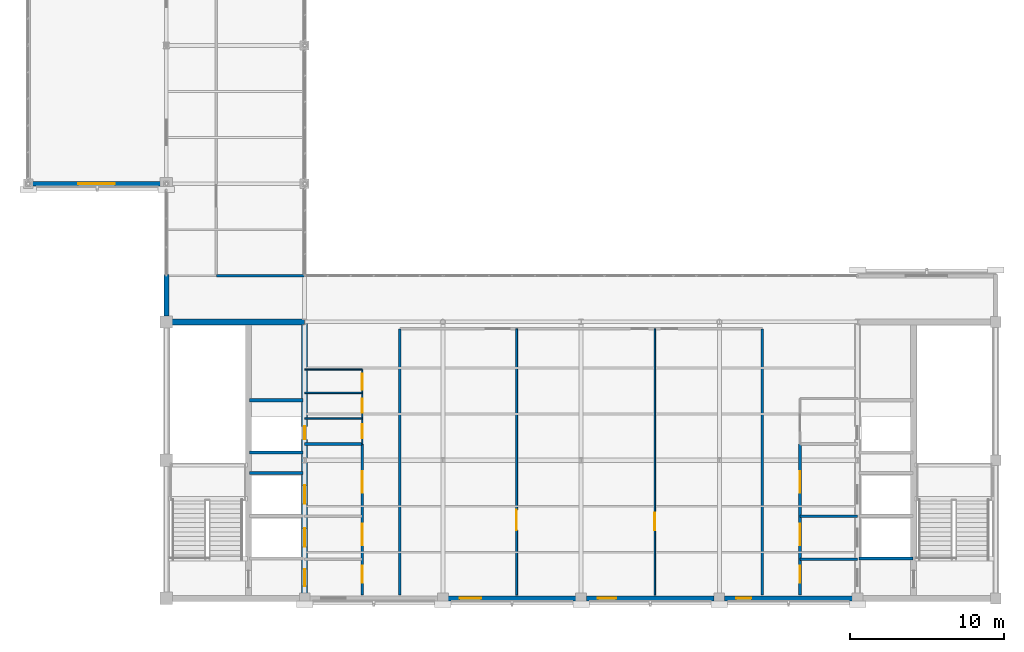
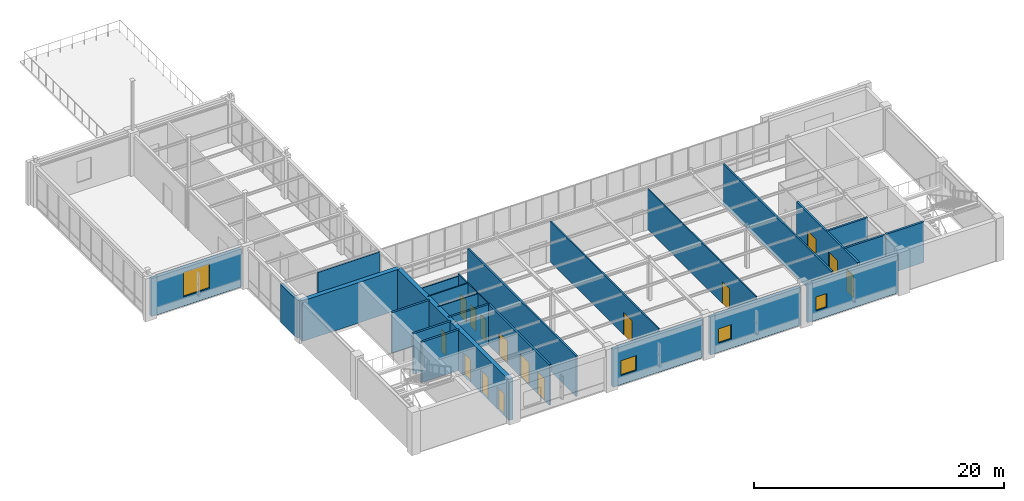
# One storey, part 30 of 36: 25 walls, 15 doors, 4 windows, 19 openings.
"""IFC4 building model written with IfcOpenShell, lengths in metres."""

from ifc_helpers import new_model, si_unit, direction, frame, frame_2d, origin, place, context, subcontext, project, spatial, rectangle, extrude, material, layer, layer_set, type_object, element, fill, save


model = new_model("IFC4")

# Units and contexts
model_context = context("Model", 3, precision=1e-05, world=origin(), true_north=direction((0.0, 1.0)))
body_context = subcontext(model_context, "Body", "Model", "MODEL_VIEW")
ifc_project = project(units=[si_unit("LENGTHUNIT", "METRE"), si_unit("AREAUNIT", "SQUARE_METRE"), si_unit("VOLUMEUNIT", "CUBIC_METRE"), si_unit("PLANEANGLEUNIT", "RADIAN"), si_unit("MASSUNIT", "GRAM", prefix="KILO")], contexts=[model_context])

# Site, building, storey
site_placement = place(None, origin())
site = spatial("IfcSite", under=ifc_project, at=site_placement, CompositionType="ELEMENT")
building_placement = place(site_placement, origin())
building = spatial("IfcBuilding", under=site, at=building_placement, Name="Lykobir Media Centre", CompositionType="ELEMENT")
storey_placement = place(building_placement, frame((0.0, 0.0, 27.60009765625)))
storey = spatial("IfcBuildingStorey", under=building, at=storey_placement, Name="L06", CompositionType="ELEMENT", Elevation=27.60009765625)

# Wall, opening, window
ifc_material_1 = material(Name="Glazed Turquoise Terracotta", Category="masonry")
ifc_layer_1 = layer(ifc_material_1, 0.31005859375, Name="Glazed Turquoise Terracotta")
ifc_layer_set_1 = layer_set([ifc_layer_1], Name="Glazed Turquoise Terracotta")
wall_type_1 = type_object("IfcWallType", Name="EW-TER-310", PredefinedType="STANDARD", material=ifc_layer_set_1)
wall_1_placement = place(storey_placement, frame((45.3349609375, 0.0, 0.0), z_axis=(0.0, 0.0, 1.0), x_axis=(1.0, 0.0, 0.0)))
wall_1 = element("IfcWall", 1, at=wall_1_placement, inside=storey, type_object=wall_type_1, Name="Exterior wall WALL-L06-0351", PredefinedType="STANDARD", context=body_context, shape_type="SweptSolid", body=[
    extrude(rectangle(XDim=8.330078125, YDim=0.31005859375, at=frame_2d((4.1650390625, 0.0))), origin(), (0.0, 0.0, 1.0), 3.71484375),
])
opening_1_placement = place(wall_1_placement, frame((0.75, 0.0, 0.89990234375)))
opening_1 = element("IfcOpeningElement", 2, at=opening_1_placement, cuts=wall_1, Name="Opening WN-1400x1450", PredefinedType="OPENING", context=body_context, shape_type="SweptSolid", body=[
    extrude(rectangle(XDim=1.39990234375, YDim=1.449951171875, at=frame_2d((0.699951171875, 0.72509765625))), frame((0.0, 0.1650390625, 0.0), z_axis=(0.0, -1.0, 0.0), x_axis=(1.0, 0.0, 0.0)), (0.0, 0.0, 1.0), 0.330078125),
])
ifc_material_2 = material(Name="Low-E Laminated Triple Glazing", Category="glass")
window_type_1 = type_object("IfcWindowType", Name="WN-1400x1450", PartitioningType="SINGLE_PANEL", PredefinedType="WINDOW", material=ifc_material_2)
window_1_placement = place(opening_1_placement, origin())
window_1 = element("IfcWindow", 3, at=window_1_placement, inside=storey, type_object=window_type_1, Name="Window WIN-L06-0157", OverallHeight=1.449951171875, OverallWidth=1.39990234375, PartitioningType="SINGLE_PANEL", PredefinedType="WINDOW", context=body_context, shape_type="SweptSolid", body=[
    extrude(rectangle(XDim=1.39990234375, YDim=1.449951171875, at=frame_2d((0.699951171875, 0.72509765625))), frame((0.0, 0.030029296875, 0.0), z_axis=(0.0, -1.0, 0.0), x_axis=(1.0, 0.0, 0.0)), (0.0, 0.0, 1.0), 0.06005859375),
])
fill(opening_1, window_1)

wall_2_placement = place(storey_placement, frame((54.3349609375, 0.0, 0.0), z_axis=(0.0, 0.0, 1.0), x_axis=(1.0, 0.0, 0.0)))
wall_2 = element("IfcWall", 4, at=wall_2_placement, inside=storey, type_object=wall_type_1, Name="Exterior wall WALL-L06-0352", PredefinedType="STANDARD", context=body_context, shape_type="SweptSolid", body=[
    extrude(rectangle(XDim=8.330078125, YDim=0.31005859375, at=frame_2d((4.1650390625, 0.0))), origin(), (0.0, 0.0, 1.0), 3.71484375),
])
opening_2_placement = place(wall_2_placement, frame((0.75, 0.0, 0.89990234375)))
opening_2 = element("IfcOpeningElement", 5, at=opening_2_placement, cuts=wall_2, Name="Opening WN-1200x1400", PredefinedType="OPENING", context=body_context, shape_type="SweptSolid", body=[
    extrude(rectangle(XDim=1.199951171875, YDim=1.39990234375, at=frame_2d((0.60009765625, 0.699951171875))), frame((0.0, 0.1650390625, 0.0), z_axis=(0.0, -1.0, 0.0), x_axis=(1.0, 0.0, 0.0)), (0.0, 0.0, 1.0), 0.330078125),
])
window_type_2 = type_object("IfcWindowType", Name="WN-1200x1400", PartitioningType="SINGLE_PANEL", PredefinedType="WINDOW", material=ifc_material_2)
window_2_placement = place(opening_2_placement, origin())
window_2 = element("IfcWindow", 6, at=window_2_placement, inside=storey, type_object=window_type_2, Name="Window WIN-L06-0158", OverallHeight=1.39990234375, OverallWidth=1.199951171875, PartitioningType="SINGLE_PANEL", PredefinedType="WINDOW", context=body_context, shape_type="SweptSolid", body=[
    extrude(rectangle(XDim=1.199951171875, YDim=1.39990234375, at=frame_2d((0.60009765625, 0.699951171875))), frame((0.0, 0.030029296875, 0.0), z_axis=(0.0, -1.0, 0.0), x_axis=(1.0, 0.0, 0.0)), (0.0, 0.0, 1.0), 0.06005859375),
])
fill(opening_2, window_2)

wall_3_placement = place(storey_placement, frame((63.3349609375, 0.0, 0.0), z_axis=(0.0, 0.0, 1.0), x_axis=(1.0, 0.0, 0.0)))
wall_3 = element("IfcWall", 7, at=wall_3_placement, inside=storey, type_object=wall_type_1, Name="Exterior wall WALL-L06-0353", PredefinedType="STANDARD", context=body_context, shape_type="SweptSolid", body=[
    extrude(rectangle(XDim=8.330078125, YDim=0.31005859375, at=frame_2d((4.1650390625, 0.0))), origin(), (0.0, 0.0, 1.0), 3.71484375),
])
opening_3_placement = place(wall_3_placement, frame((0.75, 0.0, 0.89990234375)))
opening_3 = element("IfcOpeningElement", 8, at=opening_3_placement, cuts=wall_3, Name="Opening WN-1000x1350", PredefinedType="OPENING", context=body_context, shape_type="SweptSolid", body=[
    extrude(rectangle(XDim=1.0, YDim=1.35009765625, at=frame_2d((0.5, 0.675048828125))), frame((0.0, 0.1650390625, 0.0), z_axis=(0.0, -1.0, 0.0), x_axis=(1.0, 0.0, 0.0)), (0.0, 0.0, 1.0), 0.330078125),
])
window_type_3 = type_object("IfcWindowType", Name="WN-1000x1350", PartitioningType="SINGLE_PANEL", PredefinedType="WINDOW", material=ifc_material_2)
window_3_placement = place(opening_3_placement, origin())
window_3 = element("IfcWindow", 9, at=window_3_placement, inside=storey, type_object=window_type_3, Name="Window WIN-L06-0159", OverallHeight=1.35009765625, OverallWidth=1.0, PartitioningType="SINGLE_PANEL", PredefinedType="WINDOW", context=body_context, shape_type="SweptSolid", body=[
    extrude(rectangle(XDim=1.0, YDim=1.35009765625, at=frame_2d((0.5, 0.675048828125))), frame((0.0, 0.030029296875, 0.0), z_axis=(0.0, -1.0, 0.0), x_axis=(1.0, 0.0, 0.0)), (0.0, 0.0, 1.0), 0.06005859375),
])
fill(opening_3, window_3)

wall_4_placement = place(storey_placement, frame((18.284912109375, 27.0, 0.0), z_axis=(0.0, 0.0, 1.0), x_axis=(1.0, 0.0, 0.0)))
wall_4 = element("IfcWall", 10, at=wall_4_placement, inside=storey, type_object=wall_type_1, Name="Exterior wall WALL-L06-0358", PredefinedType="STANDARD", context=body_context, shape_type="SweptSolid", body=[
    extrude(rectangle(XDim=8.330078125, YDim=0.31005859375, at=frame_2d((4.1650390625, 0.0))), origin(), (0.0, 0.0, 1.0), 3.712890625),
])
opening_4_placement = place(wall_4_placement, frame((2.965087890625, 0.0, 0.89990234375)))
opening_4 = element("IfcOpeningElement", 11, at=opening_4_placement, cuts=wall_4, Name="Opening WN-2400x2400", PredefinedType="OPENING", context=body_context, shape_type="SweptSolid", body=[
    extrude(rectangle(XDim=2.39990234375, YDim=2.39990234375, at=frame_2d((1.199951171875, 1.199951171875))), frame((0.0, 0.1650390625, 0.0), z_axis=(0.0, -1.0, 0.0), x_axis=(1.0, 0.0, 0.0)), (0.0, 0.0, 1.0), 0.330078125),
])
window_type_4 = type_object("IfcWindowType", Name="WN-2400x2400", PartitioningType="SINGLE_PANEL", PredefinedType="WINDOW", material=ifc_material_2)
window_4_placement = place(opening_4_placement, origin())
window_4 = element("IfcWindow", 12, at=window_4_placement, inside=storey, type_object=window_type_4, Name="Window WIN-L06-0162", OverallHeight=2.39990234375, OverallWidth=2.39990234375, PartitioningType="SINGLE_PANEL", PredefinedType="WINDOW", context=body_context, shape_type="SweptSolid", body=[
    extrude(rectangle(XDim=2.39990234375, YDim=2.39990234375, at=frame_2d((1.199951171875, 1.199951171875))), frame((0.0, 0.030029296875, 0.0), z_axis=(0.0, -1.0, 0.0), x_axis=(1.0, 0.0, 0.0)), (0.0, 0.0, 1.0), 0.06005859375),
])
fill(opening_4, window_4)

# Walls
wall_5_placement = place(storey_placement, frame((27.0, 21.074951171875, 0.0), z_axis=(0.0, 0.0, 1.0), x_axis=(0.0, -1.0, 0.0)))
element("IfcWall", 13, at=wall_5_placement, inside=storey, type_object=wall_type_1, Name="Exterior wall WALL-L06-0359", PredefinedType="STANDARD", context=body_context, shape_type="SweptSolid", body=[
    extrude(rectangle(XDim=2.68994140625, YDim=0.31005859375, at=frame_2d((1.344970703125, 0.0))), origin(), (0.0, 0.0, 1.0), 3.71484375),
])
ifc_material_3 = material(Name="Acoustic Gypsum Board", Category="gypsum")
ifc_layer_2 = layer(ifc_material_3, 0.159912109375, Name="Acoustic Gypsum Board")
ifc_layer_set_2 = layer_set([ifc_layer_2], Name="Acoustic Gypsum Board")
wall_type_2 = type_object("IfcWallType", Name="IW-COR-160", PredefinedType="PARTITIONING", material=ifc_layer_set_2)
for number, where, z_axis, x_axis, name in (
    (14, (42.199951171875, 0.219970703125, 0.0), (0.0, 0.0, 1.0), (0.0, 1.0, 0.0), "Wall IWALL-L06-0773"),
    (15, (65.800048828125, 0.219970703125, 0.0), (0.0, 0.0, 1.0), (0.0, 1.0, 0.0), "Wall IWALL-L06-0774"),
):
    element("IfcWall", number, at=place(storey_placement, frame(where, z_axis=z_axis, x_axis=x_axis)), inside=storey, type_object=wall_type_2, Name=name, PredefinedType="PARTITIONING", context=body_context, shape_type="SweptSolid", body=[
        extrude(rectangle(XDim=17.330078125, YDim=0.159912109375, at=frame_2d((8.6650390625, 0.0))), origin(), (0.0, 0.0, 1.0), 3.9599609375),
    ])
wall_6_placement = place(storey_placement, frame((30.25, 21.0, 0.0), z_axis=(0.0, 0.0, 1.0), x_axis=(1.0, 0.0, 0.0)))
element("IfcWall", 16, at=wall_6_placement, inside=storey, type_object=wall_type_2, Name="Wall IWALL-L06-0778", PredefinedType="PARTITIONING", context=body_context, shape_type="SweptSolid", body=[
    extrude(rectangle(XDim=5.72998046875, YDim=0.159912109375, at=frame_2d((2.864990234375, 0.0))), origin(), (0.0, 0.0, 1.0), 3.724853515625),
])

# Wall, openings, doors
ifc_layer_3 = layer(ifc_material_3, 0.179931640625, Name="Acoustic Gypsum Board")
ifc_layer_set_3 = layer_set([ifc_layer_3], Name="Acoustic Gypsum Board")
wall_type_3 = type_object("IfcWallType", Name="IW-FFLOB-180", PredefinedType="PARTITIONING", material=ifc_layer_set_3)
wall_7_placement = place(storey_placement, frame((39.75, 0.219970703125, 0.0), z_axis=(0.0, 0.0, 1.0), x_axis=(0.0, 1.0, 0.0)))
wall_7 = element("IfcWall", 17, at=wall_7_placement, inside=storey, type_object=wall_type_3, Name="Wall IWALL-L06-0137", PredefinedType="PARTITIONING", context=body_context, shape_type="SweptSolid", body=[
    extrude(rectangle(XDim=9.830078125, YDim=0.179931640625, at=frame_2d((4.9150390625, 0.0))), origin(), (0.0, 0.0, 1.0), 3.9599609375),
])
opening_5_placement = place(wall_7_placement, frame((0.800048828125, 0.0, 0.0)))
opening_5 = element("IfcOpeningElement", 18, at=opening_5_placement, cuts=wall_7, Name="Opening D-L06-C1LV", PredefinedType="OPENING", context=body_context, shape_type="SweptSolid", body=[
    extrude(rectangle(XDim=1.10009765625, YDim=2.159912109375, at=frame_2d((0.550048828125, 1.080078125))), frame((0.0, 0.099853515625, 0.0), z_axis=(0.0, -1.0, 0.0), x_axis=(1.0, 0.0, 0.0)), (0.0, 0.0, 1.0), 0.199951171875),
])
opening_6_placement = place(wall_7_placement, frame((3.25, 0.0, 0.0)))
opening_6 = element("IfcOpeningElement", 19, at=opening_6_placement, cuts=wall_7, Name="Opening D-L06-C1PL", PredefinedType="OPENING", context=body_context, shape_type="SweptSolid", body=[
    extrude(rectangle(XDim=1.39990234375, YDim=2.199951171875, at=frame_2d((0.699951171875, 1.10009765625))), frame((0.0, 0.099853515625, 0.0), z_axis=(0.0, -1.0, 0.0), x_axis=(1.0, 0.0, 0.0)), (0.0, 0.0, 1.0), 0.199951171875),
])
opening_7_placement = place(wall_7_placement, frame((6.64990234375, 0.0, 0.0)))
opening_7 = element("IfcOpeningElement", 20, at=opening_7_placement, cuts=wall_7, Name="Opening D-L06-C1FF", PredefinedType="OPENING", context=body_context, shape_type="SweptSolid", body=[
    extrude(rectangle(XDim=1.39990234375, YDim=2.199951171875, at=frame_2d((0.699951171875, 1.10009765625))), frame((0.0, 0.099853515625, 0.0), z_axis=(0.0, -1.0, 0.0), x_axis=(1.0, 0.0, 0.0)), (0.0, 0.0, 1.0), 0.199951171875),
])
ifc_material_4 = material(Name="Acoustic Timber Panelling", Category="wood")
door_type_1 = type_object("IfcDoorType", Name="FD-1100x2160", OperationType="NOTDEFINED", PredefinedType="DOOR", material=ifc_material_4)
door_1_placement = place(opening_5_placement, origin())
door_1 = element("IfcDoor", 21, at=door_1_placement, inside=storey, type_object=door_type_1, Name="Door D-L06-C1LV", OperationType="SINGLE_SWING_LEFT", OverallHeight=2.159912109375, OverallWidth=1.10009765625, PredefinedType="DOOR", context=body_context, shape_type="SweptSolid", body=[
    extrude(rectangle(XDim=1.10009765625, YDim=2.159912109375, at=frame_2d((0.550048828125, 1.080078125))), frame((0.0, 0.02490234375, 0.0), z_axis=(0.0, -1.0, 0.0), x_axis=(1.0, 0.0, 0.0)), (0.0, 0.0, 1.0), 0.050048828125),
])
fill(opening_5, door_1)
door_type_2 = type_object("IfcDoorType", Name="FD-1400x2200", OperationType="NOTDEFINED", PredefinedType="DOOR", material=ifc_material_4)
door_2_placement = place(opening_6_placement, origin())
door_2 = element("IfcDoor", 22, at=door_2_placement, inside=storey, type_object=door_type_2, Name="Door D-L06-C1PL", OperationType="DOUBLE_DOOR_SINGLE_SWING", OverallHeight=2.199951171875, OverallWidth=1.39990234375, PredefinedType="DOOR", context=body_context, shape_type="SweptSolid", body=[
    extrude(rectangle(XDim=1.39990234375, YDim=2.199951171875, at=frame_2d((0.699951171875, 1.10009765625))), frame((0.0, 0.02490234375, 0.0), z_axis=(0.0, -1.0, 0.0), x_axis=(1.0, 0.0, 0.0)), (0.0, 0.0, 1.0), 0.050048828125),
])
fill(opening_6, door_2)
door_3_placement = place(opening_7_placement, origin())
door_3 = element("IfcDoor", 23, at=door_3_placement, inside=storey, type_object=door_type_2, Name="Door D-L06-C1FF", OperationType="DOUBLE_DOOR_SINGLE_SWING", OverallHeight=2.199951171875, OverallWidth=1.39990234375, PredefinedType="DOOR", context=body_context, shape_type="SweptSolid", body=[
    extrude(rectangle(XDim=1.39990234375, YDim=2.199951171875, at=frame_2d((0.699951171875, 1.10009765625))), frame((0.0, 0.02490234375, 0.0), z_axis=(0.0, -1.0, 0.0), x_axis=(1.0, 0.0, 0.0)), (0.0, 0.0, 1.0), 0.050048828125),
])
fill(opening_7, door_3)

# Wall
wall_8_placement = place(storey_placement, frame((36.0, 10.050048828125, 0.0), z_axis=(0.0, 0.0, 1.0), x_axis=(1.0, 0.0, 0.0)))
element("IfcWall", 24, at=wall_8_placement, inside=storey, type_object=wall_type_3, Name="Wall IWALL-L06-0140", PredefinedType="PARTITIONING", context=body_context, shape_type="SweptSolid", body=[
    extrude(rectangle(XDim=3.75, YDim=0.179931640625, at=frame_2d((1.875, 0.0))), origin(), (0.0, 0.0, 1.0), 3.9599609375),
])

# Wall, openings, doors
wall_9_placement = place(storey_placement, frame((68.25, 0.219970703125, 0.0), z_axis=(0.0, 0.0, 1.0), x_axis=(0.0, 1.0, 0.0)))
wall_9 = element("IfcWall", 25, at=wall_9_placement, inside=storey, type_object=wall_type_3, Name="Wall IWALL-L06-0305", PredefinedType="PARTITIONING", context=body_context, shape_type="SweptSolid", body=[
    extrude(rectangle(XDim=9.830078125, YDim=0.179931640625, at=frame_2d((4.9150390625, 0.0))), origin(), (0.0, 0.0, 1.0), 3.9599609375),
])
opening_8_placement = place(wall_9_placement, frame((0.800048828125, 0.0, 0.0)))
opening_8 = element("IfcOpeningElement", 26, at=opening_8_placement, cuts=wall_9, Name="Opening D-L06-C2LV", PredefinedType="OPENING", context=body_context, shape_type="SweptSolid", body=[
    extrude(rectangle(XDim=1.10009765625, YDim=2.159912109375, at=frame_2d((0.550048828125, 1.080078125))), frame((0.0, 0.099853515625, 0.0), z_axis=(0.0, -1.0, 0.0), x_axis=(1.0, 0.0, 0.0)), (0.0, 0.0, 1.0), 0.199951171875),
])
opening_9_placement = place(wall_9_placement, frame((3.25, 0.0, 0.0)))
opening_9 = element("IfcOpeningElement", 27, at=opening_9_placement, cuts=wall_9, Name="Opening D-L06-C2PL", PredefinedType="OPENING", context=body_context, shape_type="SweptSolid", body=[
    extrude(rectangle(XDim=1.39990234375, YDim=2.199951171875, at=frame_2d((0.699951171875, 1.10009765625))), frame((0.0, 0.099853515625, 0.0), z_axis=(0.0, -1.0, 0.0), x_axis=(1.0, 0.0, 0.0)), (0.0, 0.0, 1.0), 0.199951171875),
])
opening_10_placement = place(wall_9_placement, frame((6.64990234375, 0.0, 0.0)))
opening_10 = element("IfcOpeningElement", 28, at=opening_10_placement, cuts=wall_9, Name="Opening D-L06-C2FF", PredefinedType="OPENING", context=body_context, shape_type="SweptSolid", body=[
    extrude(rectangle(XDim=1.39990234375, YDim=2.199951171875, at=frame_2d((0.699951171875, 1.10009765625))), frame((0.0, 0.099853515625, 0.0), z_axis=(0.0, -1.0, 0.0), x_axis=(1.0, 0.0, 0.0)), (0.0, 0.0, 1.0), 0.199951171875),
])
door_4_placement = place(opening_8_placement, origin())
door_4 = element("IfcDoor", 29, at=door_4_placement, inside=storey, type_object=door_type_1, Name="Door D-L06-C2LV", OperationType="SINGLE_SWING_RIGHT", OverallHeight=2.159912109375, OverallWidth=1.10009765625, PredefinedType="DOOR", context=body_context, shape_type="SweptSolid", body=[
    extrude(rectangle(XDim=1.10009765625, YDim=2.159912109375, at=frame_2d((0.550048828125, 1.080078125))), frame((0.0, 0.02490234375, 0.0), z_axis=(0.0, -1.0, 0.0), x_axis=(1.0, 0.0, 0.0)), (0.0, 0.0, 1.0), 0.050048828125),
])
fill(opening_8, door_4)
door_5_placement = place(opening_9_placement, origin())
door_5 = element("IfcDoor", 30, at=door_5_placement, inside=storey, type_object=door_type_2, Name="Door D-L06-C2PL", OperationType="DOUBLE_DOOR_SINGLE_SWING", OverallHeight=2.199951171875, OverallWidth=1.39990234375, PredefinedType="DOOR", context=body_context, shape_type="SweptSolid", body=[
    extrude(rectangle(XDim=1.39990234375, YDim=2.199951171875, at=frame_2d((0.699951171875, 1.10009765625))), frame((0.0, 0.02490234375, 0.0), z_axis=(0.0, -1.0, 0.0), x_axis=(1.0, 0.0, 0.0)), (0.0, 0.0, 1.0), 0.050048828125),
])
fill(opening_9, door_5)
door_6_placement = place(opening_10_placement, origin())
door_6 = element("IfcDoor", 31, at=door_6_placement, inside=storey, type_object=door_type_2, Name="Door D-L06-C2FF", OperationType="DOUBLE_DOOR_SINGLE_SWING", OverallHeight=2.199951171875, OverallWidth=1.39990234375, PredefinedType="DOOR", context=body_context, shape_type="SweptSolid", body=[
    extrude(rectangle(XDim=1.39990234375, YDim=2.199951171875, at=frame_2d((0.699951171875, 1.10009765625))), frame((0.0, 0.02490234375, 0.0), z_axis=(0.0, -1.0, 0.0), x_axis=(1.0, 0.0, 0.0)), (0.0, 0.0, 1.0), 0.050048828125),
])
fill(opening_10, door_6)

# Walls
for number, where, z_axis, x_axis, name in (
    (32, (68.25, 2.550048828125, 0.0), (0.0, 0.0, 1.0), (1.0, 0.0, 0.0), "Wall IWALL-L06-0306"),
    (33, (68.25, 5.35009765625, 0.0), (0.0, 0.0, 1.0), (1.0, 0.0, 0.0), "Wall IWALL-L06-0307"),
):
    element("IfcWall", number, at=place(storey_placement, frame(where, z_axis=z_axis, x_axis=x_axis)), inside=storey, type_object=wall_type_3, Name=name, PredefinedType="PARTITIONING", context=body_context, shape_type="SweptSolid", body=[
        extrude(rectangle(XDim=3.75, YDim=0.179931640625, at=frame_2d((1.875, 0.0))), origin(), (0.0, 0.0, 1.0), 3.9599609375),
    ])

# Wall, opening, door
ifc_layer_4 = layer(ifc_material_3, 0.110107421875, Name="Acoustic Gypsum Board")
ifc_layer_set_4 = layer_set([ifc_layer_4], Name="Acoustic Gypsum Board")
wall_type_4 = type_object("IfcWallType", Name="IW-RM-110", PredefinedType="PARTITIONING", material=ifc_layer_set_4)
wall_10_placement = place(storey_placement, frame((58.800048828125, 0.219970703125, 0.0), z_axis=(0.0, 0.0, 1.0), x_axis=(0.0, 1.0, 0.0)))
wall_10 = element("IfcWall", 34, at=wall_10_placement, inside=storey, type_object=wall_type_4, Name="Wall IWALL-L06-0776", PredefinedType="PARTITIONING", context=body_context, shape_type="SweptSolid", body=[
    extrude(rectangle(XDim=17.330078125, YDim=0.110107421875, at=frame_2d((8.6650390625, 0.0))), origin(), (0.0, 0.0, 1.0), 3.9599609375),
])
opening_11_placement = place(wall_10_placement, frame((4.199951171875, 0.0, 0.0)))
opening_11 = element("IfcOpeningElement", 35, at=opening_11_placement, cuts=wall_10, Name="Opening D-L06-V7S2", PredefinedType="OPENING", context=body_context, shape_type="SweptSolid", body=[
    extrude(rectangle(XDim=1.14990234375, YDim=2.14990234375, at=frame_2d((0.574951171875, 1.074951171875))), frame((0.0, 0.06494140625, 0.0), z_axis=(0.0, -1.0, 0.0), x_axis=(1.0, 0.0, 0.0)), (0.0, 0.0, 1.0), 0.130126953125),
])
door_type_3 = type_object("IfcDoorType", Name="ID-1150x2150", OperationType="NOTDEFINED", PredefinedType="DOOR", material=ifc_material_4)
door_7_placement = place(opening_11_placement, origin())
door_7 = element("IfcDoor", 36, at=door_7_placement, inside=storey, type_object=door_type_3, Name="Door D-L06-V7S2", OperationType="SINGLE_SWING_LEFT", OverallHeight=2.14990234375, OverallWidth=1.14990234375, PredefinedType="DOOR", context=body_context, shape_type="SweptSolid", body=[
    extrude(rectangle(XDim=1.14990234375, YDim=2.14990234375, at=frame_2d((0.574951171875, 1.074951171875))), frame((0.0, 0.02490234375, 0.0), z_axis=(0.0, -1.0, 0.0), x_axis=(1.0, 0.0, 0.0)), (0.0, 0.0, 1.0), 0.050048828125),
])
fill(opening_11, door_7)

ifc_layer_5 = layer(ifc_material_3, 0.125, Name="Acoustic Gypsum Board")
ifc_layer_set_5 = layer_set([ifc_layer_5], Name="Acoustic Gypsum Board")
wall_type_5 = type_object("IfcWallType", Name="IW-RM-125", PredefinedType="PARTITIONING", material=ifc_layer_set_5)
wall_11_placement = place(storey_placement, frame((49.800048828125, 0.219970703125, 0.0), z_axis=(0.0, 0.0, 1.0), x_axis=(0.0, 1.0, 0.0)))
wall_11 = element("IfcWall", 37, at=wall_11_placement, inside=storey, type_object=wall_type_5, Name="Wall IWALL-L06-0775", PredefinedType="PARTITIONING", context=body_context, shape_type="SweptSolid", body=[
    extrude(rectangle(XDim=17.330078125, YDim=0.125, at=frame_2d((8.6650390625, 0.0))), origin(), (0.0, 0.0, 1.0), 3.9599609375),
])
opening_12_placement = place(wall_11_placement, frame((4.199951171875, 0.0, 0.0)))
opening_12 = element("IfcOpeningElement", 38, at=opening_12_placement, cuts=wall_11, Name="Opening D-L06-V7S1", PredefinedType="OPENING", context=body_context, shape_type="SweptSolid", body=[
    extrude(rectangle(XDim=1.35009765625, YDim=2.179931640625, at=frame_2d((0.675048828125, 1.08984375))), frame((0.0, 0.072509765625, 0.0), z_axis=(0.0, -1.0, 0.0), x_axis=(1.0, 0.0, 0.0)), (0.0, 0.0, 1.0), 0.14501953125),
])
door_type_4 = type_object("IfcDoorType", Name="ID-1350x2180", OperationType="NOTDEFINED", PredefinedType="DOOR", material=ifc_material_4)
door_8_placement = place(opening_12_placement, origin())
door_8 = element("IfcDoor", 39, at=door_8_placement, inside=storey, type_object=door_type_4, Name="Door D-L06-V7S1", OperationType="SINGLE_SWING_LEFT", OverallHeight=2.179931640625, OverallWidth=1.35009765625, PredefinedType="DOOR", context=body_context, shape_type="SweptSolid", body=[
    extrude(rectangle(XDim=1.35009765625, YDim=2.179931640625, at=frame_2d((0.675048828125, 1.08984375))), frame((0.0, 0.02490234375, 0.0), z_axis=(0.0, -1.0, 0.0), x_axis=(1.0, 0.0, 0.0)), (0.0, 0.0, 1.0), 0.050048828125),
])
fill(opening_12, door_8)

# Walls
ifc_material_5 = material(Name="Concrete C30/37", Category="concrete")
ifc_layer_6 = layer(ifc_material_5, 0.199951171875, Name="Concrete C30/37")
ifc_layer_set_6 = layer_set([ifc_layer_6], Name="Concrete C30/37")
wall_type_6 = type_object("IfcWallType", Name="IW-SHAFT-200", PredefinedType="PARTITIONING", material=ifc_layer_set_6)
for number, where, z_axis, x_axis, name in (
    (40, (32.39990234375, 8.14990234375, 0.0), (0.0, 0.0, 1.0), (1.0, 0.0, 0.0), "Wall IWALL-L06-0134"),
    (41, (32.39990234375, 9.5, 0.0), (0.0, 0.0, 1.0), (1.0, 0.0, 0.0), "Wall IWALL-L06-0135"),
    (42, (32.39990234375, 12.89990234375, 0.0), (0.0, 0.0, 1.0), (1.0, 0.0, 0.0), "Wall IWALL-L06-0136"),
    (43, (72.10009765625, 2.60009765625, 0.0), (0.0, 0.0, 1.0), (1.0, 0.0, 0.0), "Wall IWALL-L06-0300"),
):
    element("IfcWall", number, at=place(storey_placement, frame(where, z_axis=z_axis, x_axis=x_axis)), inside=storey, type_object=wall_type_6, Name=name, PredefinedType="PARTITIONING", context=body_context, shape_type="SweptSolid", body=[
        extrude(rectangle(XDim=3.5, YDim=0.199951171875, at=frame_2d((1.75, 0.0))), origin(), (0.0, 0.0, 1.0), 3.9599609375),
    ])

# Wall, openings, doors
ifc_layer_7 = layer(ifc_material_3, 0.094970703125, Name="Acoustic Gypsum Board")
ifc_layer_set_7 = layer_set([ifc_layer_7], Name="Acoustic Gypsum Board")
wall_type_7 = type_object("IfcWallType", Name="IW-WC-095", PredefinedType="PARTITIONING", material=ifc_layer_set_7)
wall_12_placement = place(storey_placement, frame((39.75, 10.050048828125, 0.0), z_axis=(0.0, 0.0, 1.0), x_axis=(0.0, 1.0, 0.0)))
wall_12 = element("IfcWall", 44, at=wall_12_placement, inside=storey, type_object=wall_type_7, Name="Wall IWALL-L06-0141", PredefinedType="PARTITIONING", context=body_context, shape_type="SweptSolid", body=[
    extrude(rectangle(XDim=4.849853515625, YDim=0.094970703125, at=frame_2d((2.4248046875, 0.0))), origin(), (0.0, 0.0, 1.0), 3.9599609375),
])
opening_13_placement = place(wall_12_placement, frame((0.3798828125, 0.0, 0.0)))
opening_13 = element("IfcOpeningElement", 45, at=opening_13_placement, cuts=wall_12, Name="Opening D-L06-WCM", PredefinedType="OPENING", context=body_context, shape_type="SweptSolid", body=[
    extrude(rectangle(XDim=0.919921875, YDim=2.10009765625, at=frame_2d((0.4599609375, 1.050048828125))), frame((0.0, 0.057373046875, 0.0), z_axis=(0.0, -1.0, 0.0), x_axis=(1.0, 0.0, 0.0)), (0.0, 0.0, 1.0), 0.114990234375),
])
opening_14_placement = place(wall_12_placement, frame((2.02001953125, 0.0, 0.0)))
opening_14 = element("IfcOpeningElement", 46, at=opening_14_placement, cuts=wall_12, Name="Opening D-L06-WCF", PredefinedType="OPENING", context=body_context, shape_type="SweptSolid", body=[
    extrude(rectangle(XDim=0.919921875, YDim=2.10009765625, at=frame_2d((0.4599609375, 1.050048828125))), frame((0.0, 0.057373046875, 0.0), z_axis=(0.0, -1.0, 0.0), x_axis=(1.0, 0.0, 0.0)), (0.0, 0.0, 1.0), 0.114990234375),
])
opening_15_placement = place(wall_12_placement, frame((3.52001953125, 0.0, 0.0)))
opening_15 = element("IfcOpeningElement", 47, at=opening_15_placement, cuts=wall_12, Name="Opening D-L06-WCA1", PredefinedType="OPENING", context=body_context, shape_type="SweptSolid", body=[
    extrude(rectangle(XDim=1.050048828125, YDim=2.1298828125, at=frame_2d((0.52490234375, 1.06494140625))), frame((0.0, 0.057373046875, 0.0), z_axis=(0.0, -1.0, 0.0), x_axis=(1.0, 0.0, 0.0)), (0.0, 0.0, 1.0), 0.114990234375),
])
door_type_5 = type_object("IfcDoorType", Name="ID-0920x2100", OperationType="NOTDEFINED", PredefinedType="DOOR", material=ifc_material_4)
door_9_placement = place(opening_13_placement, origin())
door_9 = element("IfcDoor", 48, at=door_9_placement, inside=storey, type_object=door_type_5, Name="Door D-L06-WCM", OperationType="SINGLE_SWING_RIGHT", OverallHeight=2.10009765625, OverallWidth=0.919921875, PredefinedType="DOOR", context=body_context, shape_type="SweptSolid", body=[
    extrude(rectangle(XDim=0.919921875, YDim=2.10009765625, at=frame_2d((0.4599609375, 1.050048828125))), frame((0.0, 0.02490234375, 0.0), z_axis=(0.0, -1.0, 0.0), x_axis=(1.0, 0.0, 0.0)), (0.0, 0.0, 1.0), 0.050048828125),
])
fill(opening_13, door_9)
door_10_placement = place(opening_14_placement, origin())
door_10 = element("IfcDoor", 49, at=door_10_placement, inside=storey, type_object=door_type_5, Name="Door D-L06-WCF", OperationType="SINGLE_SWING_LEFT", OverallHeight=2.10009765625, OverallWidth=0.919921875, PredefinedType="DOOR", context=body_context, shape_type="SweptSolid", body=[
    extrude(rectangle(XDim=0.919921875, YDim=2.10009765625, at=frame_2d((0.4599609375, 1.050048828125))), frame((0.0, 0.02490234375, 0.0), z_axis=(0.0, -1.0, 0.0), x_axis=(1.0, 0.0, 0.0)), (0.0, 0.0, 1.0), 0.050048828125),
])
fill(opening_14, door_10)
door_type_6 = type_object("IfcDoorType", Name="ID-1050x2130", OperationType="NOTDEFINED", PredefinedType="DOOR", material=ifc_material_4)
door_11_placement = place(opening_15_placement, origin())
door_11 = element("IfcDoor", 50, at=door_11_placement, inside=storey, type_object=door_type_6, Name="Door D-L06-WCA1", OperationType="SINGLE_SWING_RIGHT", OverallHeight=2.1298828125, OverallWidth=1.050048828125, PredefinedType="DOOR", context=body_context, shape_type="SweptSolid", body=[
    extrude(rectangle(XDim=1.050048828125, YDim=2.1298828125, at=frame_2d((0.52490234375, 1.06494140625))), frame((0.0, 0.02490234375, 0.0), z_axis=(0.0, -1.0, 0.0), x_axis=(1.0, 0.0, 0.0)), (0.0, 0.0, 1.0), 0.050048828125),
])
fill(opening_15, door_11)

# Walls
for number, where, z_axis, x_axis, name in (
    (51, (36.0, 11.719970703125, 0.0), (0.0, 0.0, 1.0), (1.0, 0.0, 0.0), "Wall IWALL-L06-0142"),
    (52, (36.0, 13.3798828125, 0.0), (0.0, 0.0, 1.0), (1.0, 0.0, 0.0), "Wall IWALL-L06-0143"),
):
    element("IfcWall", number, at=place(storey_placement, frame(where, z_axis=z_axis, x_axis=x_axis)), inside=storey, type_object=wall_type_7, Name=name, PredefinedType="PARTITIONING", context=body_context, shape_type="SweptSolid", body=[
        extrude(rectangle(XDim=3.75, YDim=0.094970703125, at=frame_2d((1.875, 0.0))), origin(), (0.0, 0.0, 1.0), 3.9599609375),
    ])
wall_13_placement = place(storey_placement, frame((36.0, 14.89990234375, 0.0), z_axis=(0.0, 0.0, 1.0), x_axis=(1.0, 0.0, 0.0)))
element("IfcWall", 53, at=wall_13_placement, inside=storey, type_object=wall_type_7, Name="Wall IWALL-L06-0144", PredefinedType="PARTITIONING", context=body_context, shape_type="SweptSolid", body=[
    extrude(rectangle(XDim=3.75, YDim=0.094970703125, at=frame_2d((1.875, 0.0))), origin(), (0.0, 0.0, 1.0), 3.724853515625),
])

# Wall, openings, doors
ifc_material_6 = material(Name="Concrete C40/50", Category="concrete")
ifc_layer_8 = layer(ifc_material_6, 0.39990234375, Name="Concrete C40/50")
ifc_layer_set_8 = layer_set([ifc_layer_8], Name="Concrete C40/50")
wall_type_8 = type_object("IfcWallType", Name="SW-CORE-400", PredefinedType="SHEAR", material=ifc_layer_set_8)
wall_14_placement = place(storey_placement, frame((36.0, 0.0, 0.0), z_axis=(0.0, 0.0, 1.0), x_axis=(0.0, 1.0, 0.0)))
wall_14 = element("IfcWall", 54, at=wall_14_placement, inside=storey, type_object=wall_type_8, Name="Wall IWALL-L06-0128", PredefinedType="SHEAR", context=body_context, shape_type="SweptSolid", body=[
    extrude(rectangle(XDim=18.0, YDim=0.39990234375, at=frame_2d((9.0, 0.0))), origin(), (0.0, 0.0, 1.0), 3.9599609375),
])
opening_16_placement = place(wall_14_placement, frame((0.800048828125, 0.0, 0.0)))
opening_16 = element("IfcOpeningElement", 55, at=opening_16_placement, cuts=wall_14, Name="Opening D-L06-C1VB", PredefinedType="OPENING", context=body_context, shape_type="SweptSolid", body=[
    extrude(rectangle(XDim=1.10009765625, YDim=2.159912109375, at=frame_2d((0.550048828125, 1.080078125))), frame((0.0, 0.2099609375, 0.0), z_axis=(0.0, -1.0, 0.0), x_axis=(1.0, 0.0, 0.0)), (0.0, 0.0, 1.0), 0.419921875),
])
opening_17_placement = place(wall_14_placement, frame((3.35009765625, 0.0, 0.0)))
opening_17 = element("IfcOpeningElement", 56, at=opening_17_placement, cuts=wall_14, Name="Opening LD-L06-PL-1", PredefinedType="OPENING", context=body_context, shape_type="SweptSolid", body=[
    extrude(rectangle(XDim=1.199951171875, YDim=2.199951171875, at=frame_2d((0.60009765625, 1.10009765625))), frame((0.0, 0.2099609375, 0.0), z_axis=(0.0, -1.0, 0.0), x_axis=(1.0, 0.0, 0.0)), (0.0, 0.0, 1.0), 0.419921875),
])
opening_18_placement = place(wall_14_placement, frame((6.14990234375, 0.0, 0.0)))
opening_18 = element("IfcOpeningElement", 57, at=opening_18_placement, cuts=wall_14, Name="Opening LD-L06-FL-1", PredefinedType="OPENING", context=body_context, shape_type="SweptSolid", body=[
    extrude(rectangle(XDim=1.199951171875, YDim=2.199951171875, at=frame_2d((0.60009765625, 1.10009765625))), frame((0.0, 0.2099609375, 0.0), z_axis=(0.0, -1.0, 0.0), x_axis=(1.0, 0.0, 0.0)), (0.0, 0.0, 1.0), 0.419921875),
])
opening_19_placement = place(wall_14_placement, frame((10.35009765625, 0.0, 0.0)))
opening_19 = element("IfcOpeningElement", 58, at=opening_19_placement, cuts=wall_14, Name="Opening D-L06-C1RS", PredefinedType="OPENING", context=body_context, shape_type="SweptSolid", body=[
    extrude(rectangle(XDim=0.85009765625, YDim=2.10009765625, at=frame_2d((0.425048828125, 1.050048828125))), frame((0.0, 0.2099609375, 0.0), z_axis=(0.0, -1.0, 0.0), x_axis=(1.0, 0.0, 0.0)), (0.0, 0.0, 1.0), 0.419921875),
])
ifc_material_7 = material(Name="Anodized Aluminium AW-6060", Category="aluminium")
door_type_7 = type_object("IfcDoorType", Name="FD-0850x2100", OperationType="NOTDEFINED", PredefinedType="DOOR", material=ifc_material_7)
door_12_placement = place(opening_19_placement, origin())
door_12 = element("IfcDoor", 59, at=door_12_placement, inside=storey, type_object=door_type_7, Name="Riser access door C1 L06", OperationType="SINGLE_SWING_RIGHT", OverallHeight=2.10009765625, OverallWidth=0.85009765625, PredefinedType="DOOR", context=body_context, shape_type="SweptSolid", body=[
    extrude(rectangle(XDim=0.85009765625, YDim=2.10009765625, at=frame_2d((0.425048828125, 1.050048828125))), frame((0.0, 0.02490234375, 0.0), z_axis=(0.0, -1.0, 0.0), x_axis=(1.0, 0.0, 0.0)), (0.0, 0.0, 1.0), 0.050048828125),
])
fill(opening_19, door_12)
door_13_placement = place(opening_16_placement, origin())
door_13 = element("IfcDoor", 60, at=door_13_placement, inside=storey, type_object=door_type_1, Name="Door D-L06-C1VB", OperationType="SINGLE_SWING_LEFT", OverallHeight=2.159912109375, OverallWidth=1.10009765625, PredefinedType="DOOR", context=body_context, shape_type="SweptSolid", body=[
    extrude(rectangle(XDim=1.10009765625, YDim=2.159912109375, at=frame_2d((0.550048828125, 1.080078125))), frame((0.0, 0.02490234375, 0.0), z_axis=(0.0, -1.0, 0.0), x_axis=(1.0, 0.0, 0.0)), (0.0, 0.0, 1.0), 0.050048828125),
])
fill(opening_16, door_13)
door_type_8 = type_object("IfcDoorType", Name="LD-1200x2200", OperationType="NOTDEFINED", PredefinedType="DOOR", material=ifc_material_7)
door_14_placement = place(opening_17_placement, origin())
door_14 = element("IfcDoor", 61, at=door_14_placement, inside=storey, type_object=door_type_8, Name="Lift landing door PL-1 L06", OperationType="SLIDING_TO_LEFT", OverallHeight=2.199951171875, OverallWidth=1.199951171875, PredefinedType="DOOR", context=body_context, shape_type="SweptSolid", body=[
    extrude(rectangle(XDim=1.199951171875, YDim=2.199951171875, at=frame_2d((0.60009765625, 1.10009765625))), frame((0.0, 0.02490234375, 0.0), z_axis=(0.0, -1.0, 0.0), x_axis=(1.0, 0.0, 0.0)), (0.0, 0.0, 1.0), 0.050048828125),
])
fill(opening_17, door_14)
door_15_placement = place(opening_18_placement, origin())
door_15 = element("IfcDoor", 62, at=door_15_placement, inside=storey, type_object=door_type_8, Name="Firefighting lift landing door FL-1 L06", OperationType="SLIDING_TO_LEFT", OverallHeight=2.199951171875, OverallWidth=1.199951171875, PredefinedType="DOOR", context=body_context, shape_type="SweptSolid", body=[
    extrude(rectangle(XDim=1.199951171875, YDim=2.199951171875, at=frame_2d((0.60009765625, 1.10009765625))), frame((0.0, 0.02490234375, 0.0), z_axis=(0.0, -1.0, 0.0), x_axis=(1.0, 0.0, 0.0)), (0.0, 0.0, 1.0), 0.050048828125),
])
fill(opening_18, door_15)

# Wall
ifc_layer_9 = layer(ifc_material_6, 0.39990234375, Name="Concrete C40/50")
ifc_layer_set_9 = layer_set([ifc_layer_9], Name="Concrete C40/50")
wall_type_9 = type_object("IfcWallType", Name="SW-CORE-400-E", PredefinedType="SHEAR", material=ifc_layer_set_9)
wall_15_placement = place(storey_placement, frame((36.0, 18.0, 0.0), z_axis=(0.0, 0.0, 1.0), x_axis=(-1.0, 0.0, 0.0)))
element("IfcWall", 63, at=wall_15_placement, inside=storey, type_object=wall_type_9, Name="Wall IWALL-L06-0129", PredefinedType="SHEAR", context=body_context, shape_type="SweptSolid", body=[
    extrude(rectangle(XDim=9.0, YDim=0.39990234375, at=frame_2d((4.5, 0.0))), origin(), (0.0, 0.0, 1.0), 3.9599609375),
])

save(model, "model.ifc")
